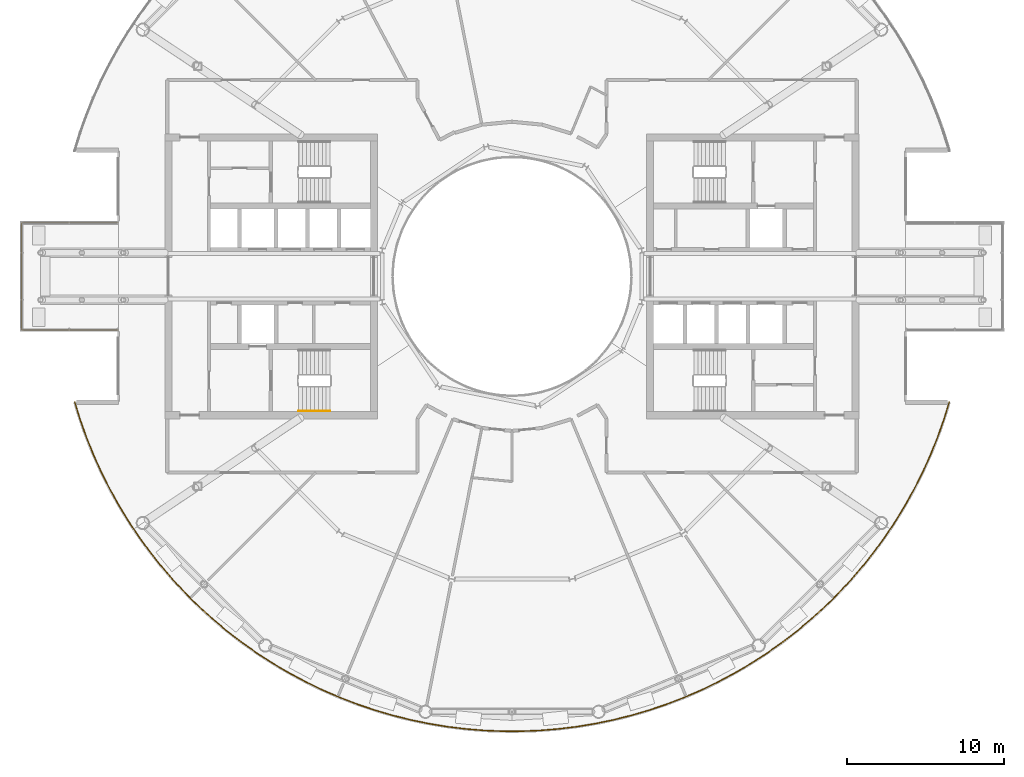
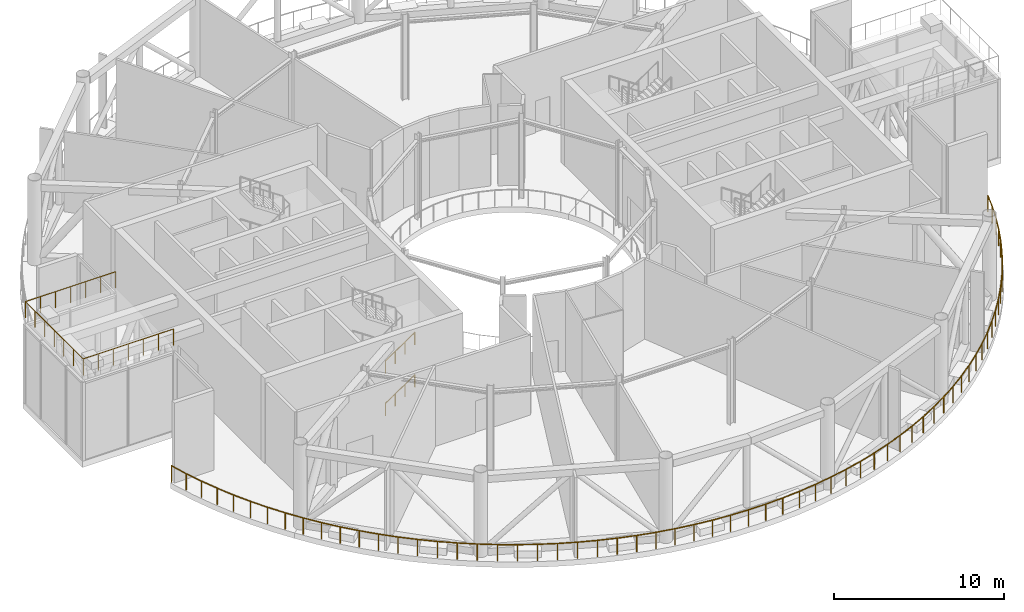
# One storey, part 20 of 24: 4 railings.
"""IFC4 building model written with IfcOpenShell, lengths in metres."""

from ifc_helpers import new_model, si_unit, direction, frame, origin, origin_2d, place, context, subcontext, project, spatial, circle, extrude, material, type_object, element, save


model = new_model("IFC4")

# Units and contexts
model_context = context("Model", 3, precision=1e-05, world=origin(), true_north=direction((0.0, 1.0)))
body_context = subcontext(model_context, "Body", "Model", "MODEL_VIEW")
ifc_project = project(units=[si_unit("LENGTHUNIT", "METRE"), si_unit("AREAUNIT", "SQUARE_METRE"), si_unit("VOLUMEUNIT", "CUBIC_METRE"), si_unit("PLANEANGLEUNIT", "RADIAN"), si_unit("MASSUNIT", "GRAM", prefix="KILO")], contexts=[model_context])

# Site, building, storey
site_placement = place(None, origin())
site = spatial("IfcSite", under=ifc_project, at=site_placement, CompositionType="ELEMENT")
building_placement = place(site_placement, origin())
building = spatial("IfcBuilding", under=site, at=building_placement, Name="Maasbend Ring Residences", CompositionType="ELEMENT")
storey_placement = place(building_placement, frame((0.0, 0.0, 221.85009765625)))
storey = spatial("IfcBuildingStorey", under=building, at=storey_placement, Name="L64", CompositionType="ELEMENT", Elevation=221.85009765625)

# Railings
ifc_material_1 = material(Name="Stainless steel 316 and glass", Category="steel")
railing_type_1 = type_object("IfcRailingType", Name="RL-GUARD", PredefinedType="GUARDRAIL", material=ifc_material_1)
railing_1_placement = place(storey_placement, frame((-27.778564453125, -7.972412109375, 0.0)))
element("IfcRailing", 1, at=railing_1_placement, inside=storey, type_object=railing_type_1, Name="Garden guard outer 2", PredefinedType="GUARDRAIL", context=body_context, shape_type="SweptSolid", body=[
    extrude(circle(Radius=0.02490234375, at=origin_2d()), frame((0.0, 0.0, 1.1748046875), z_axis=(0.295504624123, -0.95534130923, 0.0), x_axis=(0.95534130923, 0.295504624123, 0.0)), (0.0, 0.0, 1.0), 1.184814453125),
    extrude(circle(Radius=0.02490234375, at=origin_2d()), frame((0.35009765625, -1.1318359375, 1.1748046875), z_axis=(0.334285842511, -0.94247173724, 0.0), x_axis=(0.94247173724, 0.334285842511, 0.0)), (0.0, 0.0, 1.0), 1.1845703125),
    extrude(circle(Radius=0.02490234375, at=origin_2d()), frame((0.74609375, -2.248291015625, 1.1748046875), z_axis=(0.372847180885, -0.927892763042, 0.0), x_axis=(0.927892763042, 0.372847180885, 0.0)), (0.0, 0.0, 1.0), 1.1845703125),
    extrude(circle(Radius=0.02490234375, at=origin_2d()), frame((1.187744140625, -3.347412109375, 1.1748046875), z_axis=(0.410493199792, -0.911863659175, 0.0), x_axis=(0.911863659175, 0.410493199792, 0.0)), (0.0, 0.0, 1.0), 1.184814453125),
    extrude(circle(Radius=0.02490234375, at=origin_2d()), frame((1.674072265625, -4.427734375, 1.1748046875), z_axis=(0.447460908245, -0.894303491882, 0.0), x_axis=(0.894303491882, 0.447460908245, 0.0)), (0.0, 0.0, 1.0), 1.1845703125),
    extrude(circle(Radius=0.02490234375, at=origin_2d()), frame((2.2041015625, -5.487060546875, 1.1748046875), z_axis=(0.483839805506, -0.875156581766, 0.0), x_axis=(0.875156581766, 0.483839805506, 0.0)), (0.0, 0.0, 1.0), 1.184814453125),
    extrude(circle(Radius=0.02490234375, at=origin_2d()), frame((2.77734375, -6.52392578125, 1.1748046875), z_axis=(0.51915559987, -0.854679743017, 0.0), x_axis=(0.854679743017, 0.51915559987, 0.0)), (0.0, 0.0, 1.0), 1.1845703125),
    extrude(circle(Radius=0.02490234375, at=origin_2d()), frame((3.392333984375, -7.536376953125, 1.1748046875), z_axis=(0.553796190877, -0.832652255729, 0.0), x_axis=(0.832652255729, 0.553796190877, 0.0)), (0.0, 0.0, 1.0), 1.1845703125),
    extrude(circle(Radius=0.02490234375, at=origin_2d()), frame((4.04833984375, -8.522705078125, 1.1748046875), z_axis=(0.58749759803, -0.809225909317, 0.0), x_axis=(0.809225909317, 0.58749759803, 0.0)), (0.0, 0.0, 1.0), 1.184814453125),
    extrude(circle(Radius=0.02490234375, at=origin_2d()), frame((4.744384765625, -9.4814453125, 1.1748046875), z_axis=(0.620185444157, -0.78445523445, 0.0), x_axis=(0.78445523445, 0.620185444157, 0.0)), (0.0, 0.0, 1.0), 1.1845703125),
    extrude(circle(Radius=0.02490234375, at=origin_2d()), frame((5.47900390625, -10.41064453125, 1.1748046875), z_axis=(0.65182600946, -0.758368547206, 0.0), x_axis=(0.758368547206, 0.65182600946, 0.0)), (0.0, 0.0, 1.0), 1.184814453125),
    extrude(circle(Radius=0.02490234375, at=origin_2d()), frame((6.251220703125, -11.30908203125, 1.1748046875), z_axis=(0.682156690758, -0.731206023809, 0.0), x_axis=(0.731206023809, 0.682156690758, 0.0)), (0.0, 0.0, 1.0), 1.1845703125),
    extrude(circle(Radius=0.02490234375, at=origin_2d()), frame((7.059326171875, -12.17529296875, 1.1748046875), z_axis=(0.711830937603, -0.702350849841, 0.0), x_axis=(0.702350849841, 0.711830937603, 0.0)), (0.0, 0.0, 1.0), 1.1845703125),
    extrude(circle(Radius=0.02490234375, at=origin_2d()), frame((7.902587890625, -13.00732421875, 1.1748046875), z_axis=(0.739800189204, -0.672826634471, 0.0), x_axis=(0.672826634471, 0.739800189204, 0.0)), (0.0, 0.0, 1.0), 1.184814453125),
    extrude(circle(Radius=0.02490234375, at=origin_2d()), frame((8.779052734375, -13.804443359375, 1.1748046875), z_axis=(0.766885051085, -0.641784479731, 0.0), x_axis=(0.641784479731, 0.766885051085, 0.0)), (0.0, 0.0, 1.0), 1.1845703125),
    extrude(circle(Radius=0.02490234375, at=origin_2d()), frame((9.6875, -14.564697265625, 1.1748046875), z_axis=(0.792493715501, -0.609880079107, 0.0), x_axis=(0.609880079107, 0.792493715501, 0.0)), (0.0, 0.0, 1.0), 1.1845703125),
    extrude(circle(Radius=0.02490234375, at=origin_2d()), frame((10.626220703125, -15.287109375, 1.1748046875), z_axis=(0.816785089041, -0.576942040695, 0.0), x_axis=(0.576942040695, 0.816785089041, 0.0)), (0.0, 0.0, 1.0), 1.184814453125),
    extrude(circle(Radius=0.02490234375, at=origin_2d()), frame((11.593994140625, -15.970703125, 1.1748046875), z_axis=(0.839829939632, -0.542849585519, 0.0), x_axis=(0.542849585519, 0.839829939632, 0.0)), (0.0, 0.0, 1.0), 1.1845703125),
    extrude(circle(Radius=0.02490234375, at=origin_2d()), frame((12.5888671875, -16.61376953125, 1.1748046875), z_axis=(0.861324276781, -0.508055597575, 0.0), x_axis=(0.508055597575, 0.861324276781, 0.0)), (0.0, 0.0, 1.0), 1.1845703125),
    extrude(circle(Radius=0.02490234375, at=origin_2d()), frame((13.609130859375, -17.215576171875, 1.1748046875), z_axis=(0.881415624836, -0.472341503887, 0.0), x_axis=(0.472341503887, 0.881415624836, 0.0)), (0.0, 0.0, 1.0), 1.1845703125),
    extrude(circle(Radius=0.02490234375, at=origin_2d()), frame((14.6533203125, -17.775146484375, 1.1748046875), z_axis=(0.900002799964, -0.435884113104, 0.0), x_axis=(0.435884113104, 0.900002799964, 0.0)), (0.0, 0.0, 1.0), 1.1845703125),
    extrude(circle(Radius=0.02490234375, at=origin_2d()), frame((15.719482421875, -18.29150390625, 1.1748046875), z_axis=(0.917129024526, -0.398590456951, 0.0), x_axis=(0.398590456951, 0.917129024526, 0.0)), (0.0, 0.0, 1.0), 1.1845703125),
    extrude(circle(Radius=0.02490234375, at=origin_2d()), frame((16.805908203125, -18.763671875, 1.1748046875), z_axis=(0.932706782024, -0.360635631582, 0.0), x_axis=(0.360635631582, 0.932706782024, 0.0)), (0.0, 0.0, 1.0), 1.184814453125),
    extrude(circle(Radius=0.02490234375, at=origin_2d()), frame((17.910888671875, -19.19091796875, 1.1748046875), z_axis=(0.946770232419, -0.321910122559, 0.0), x_axis=(0.321910122559, 0.946770232419, 0.0)), (0.0, 0.0, 1.0), 1.1845703125),
    extrude(circle(Radius=0.02490234375, at=origin_2d()), frame((19.032470703125, -19.572265625, 1.1748046875), z_axis=(0.959076230705, -0.283147989039, 0.0), x_axis=(0.283147989039, 0.959076230705, 0.0)), (0.0, 0.0, 1.0), 1.184814453125),
    extrude(circle(Radius=0.02490234375, at=origin_2d()), frame((20.168701171875, -19.90771484375, 1.1748046875), z_axis=(0.969923880017, -0.243408436528, 0.0), x_axis=(0.243408436528, 0.969923880017, 0.0)), (0.0, 0.0, 1.0), 1.1845703125),
    extrude(circle(Radius=0.02490234375, at=origin_2d()), frame((21.317626953125, -20.196044921875, 1.1748046875), z_axis=(0.979054075839, -0.203600384536, 0.0), x_axis=(0.203600384536, 0.979054075839, 0.0)), (0.0, 0.0, 1.0), 1.184814453125),
    extrude(circle(Radius=0.02490234375, at=origin_2d()), frame((22.4775390625, -20.437255859375, 1.1748046875), z_axis=(0.986588187234, -0.163229129787, 0.0), x_axis=(0.163229129787, 0.986588187234, 0.0)), (0.0, 0.0, 1.0), 1.1845703125),
    extrude(circle(Radius=0.02490234375, at=origin_2d()), frame((23.646240234375, -20.630615234375, 1.1748046875), z_axis=(0.992454401235, -0.122614279222, 0.0), x_axis=(0.122614279222, 0.992454401235, 0.0)), (0.0, 0.0, 1.0), 1.184814453125),
    extrude(circle(Radius=0.02490234375, at=origin_2d()), frame((24.822021484375, -20.77587890625, 1.1748046875), z_axis=(0.996630509683, -0.082022113907, 0.0), x_axis=(0.082022113907, 0.996630509683, 0.0)), (0.0, 0.0, 1.0), 1.1845703125),
    extrude(circle(Radius=0.02490234375, at=origin_2d()), frame((26.002685546875, -20.873046875, 1.1748046875), z_axis=(0.999158599932, -0.041013317118, 0.0), x_axis=(0.041013317118, 0.999158599932, 0.0)), (0.0, 0.0, 1.0), 1.1845703125),
    extrude(circle(Radius=0.02490234375, at=origin_2d()), frame((27.186279296875, -20.921630859375, 1.1748046875), z_axis=(1.0, 0.0, 0.0), x_axis=(0.0, 1.0, 0.0)), (0.0, 0.0, 1.0), 1.1845703125),
    extrude(circle(Radius=0.02490234375, at=origin_2d()), frame((28.370849609375, -20.921630859375, 1.1748046875), z_axis=(0.999158599932, 0.041013317118, 0.0), x_axis=(-0.041013317118, 0.999158599932, 0.0)), (0.0, 0.0, 1.0), 1.1845703125),
    extrude(circle(Radius=0.02490234375, at=origin_2d()), frame((29.554443359375, -20.873046875, 1.1748046875), z_axis=(0.996630509683, 0.082022113907, 0.0), x_axis=(-0.082022113907, 0.996630509683, 0.0)), (0.0, 0.0, 1.0), 1.1845703125),
    extrude(circle(Radius=0.02490234375, at=origin_2d()), frame((30.735107421875, -20.77587890625, 1.1748046875), z_axis=(0.992454401235, 0.122614279222, 0.0), x_axis=(-0.122614279222, 0.992454401235, 0.0)), (0.0, 0.0, 1.0), 1.184814453125),
    extrude(circle(Radius=0.02490234375, at=origin_2d()), frame((31.910888671875, -20.630615234375, 1.1748046875), z_axis=(0.986588187234, 0.163229129787, 0.0), x_axis=(-0.163229129787, 0.986588187234, 0.0)), (0.0, 0.0, 1.0), 1.1845703125),
    extrude(circle(Radius=0.02490234375, at=origin_2d()), frame((33.07958984375, -20.437255859375, 1.1748046875), z_axis=(0.979054075839, 0.203600384536, 0.0), x_axis=(-0.203600384536, 0.979054075839, 0.0)), (0.0, 0.0, 1.0), 1.184814453125),
    extrude(circle(Radius=0.02490234375, at=origin_2d()), frame((34.239501953125, -20.196044921875, 1.1748046875), z_axis=(0.969923880017, 0.243408436528, 0.0), x_axis=(-0.243408436528, 0.969923880017, 0.0)), (0.0, 0.0, 1.0), 1.1845703125),
    extrude(circle(Radius=0.02490234375, at=origin_2d()), frame((35.388427734375, -19.90771484375, 1.1748046875), z_axis=(0.959076230705, 0.283147989039, 0.0), x_axis=(-0.283147989039, 0.959076230705, 0.0)), (0.0, 0.0, 1.0), 1.184814453125),
    extrude(circle(Radius=0.02490234375, at=origin_2d()), frame((36.524658203125, -19.572265625, 1.1748046875), z_axis=(0.946770232419, 0.321910122559, 0.0), x_axis=(-0.321910122559, 0.946770232419, 0.0)), (0.0, 0.0, 1.0), 1.1845703125),
    extrude(circle(Radius=0.02490234375, at=origin_2d()), frame((37.646240234375, -19.19091796875, 1.1748046875), z_axis=(0.932706782024, 0.360635631582, 0.0), x_axis=(-0.360635631582, 0.932706782024, 0.0)), (0.0, 0.0, 1.0), 1.184814453125),
    extrude(circle(Radius=0.02490234375, at=origin_2d()), frame((38.751220703125, -18.763671875, 1.1748046875), z_axis=(0.917129024526, 0.398590456951, 0.0), x_axis=(-0.398590456951, 0.917129024526, 0.0)), (0.0, 0.0, 1.0), 1.1845703125),
    extrude(circle(Radius=0.02490234375, at=origin_2d()), frame((39.837646484375, -18.29150390625, 1.1748046875), z_axis=(0.900002799964, 0.435884113104, 0.0), x_axis=(-0.435884113104, 0.900002799964, 0.0)), (0.0, 0.0, 1.0), 1.1845703125),
    extrude(circle(Radius=0.02490234375, at=origin_2d()), frame((40.90380859375, -17.775146484375, 1.1748046875), z_axis=(0.881415624836, 0.472341503887, 0.0), x_axis=(-0.472341503887, 0.881415624836, 0.0)), (0.0, 0.0, 1.0), 1.1845703125),
    extrude(circle(Radius=0.02490234375, at=origin_2d()), frame((41.947998046875, -17.215576171875, 1.1748046875), z_axis=(0.861324276781, 0.508055597575, 0.0), x_axis=(-0.508055597575, 0.861324276781, 0.0)), (0.0, 0.0, 1.0), 1.1845703125),
    extrude(circle(Radius=0.02490234375, at=origin_2d()), frame((42.96826171875, -16.61376953125, 1.1748046875), z_axis=(0.839829939632, 0.542849585519, 0.0), x_axis=(-0.542849585519, 0.839829939632, 0.0)), (0.0, 0.0, 1.0), 1.1845703125),
    extrude(circle(Radius=0.02490234375, at=origin_2d()), frame((43.963134765625, -15.970703125, 1.1748046875), z_axis=(0.816785089041, 0.576942040695, 0.0), x_axis=(-0.576942040695, 0.816785089041, 0.0)), (0.0, 0.0, 1.0), 1.184814453125),
    extrude(circle(Radius=0.02490234375, at=origin_2d()), frame((44.930908203125, -15.287109375, 1.1748046875), z_axis=(0.792493715501, 0.609880079107, 0.0), x_axis=(-0.609880079107, 0.792493715501, 0.0)), (0.0, 0.0, 1.0), 1.1845703125),
    extrude(circle(Radius=0.02490234375, at=origin_2d()), frame((45.86962890625, -14.564697265625, 1.1748046875), z_axis=(0.766885051085, 0.641784479731, 0.0), x_axis=(-0.641784479731, 0.766885051085, 0.0)), (0.0, 0.0, 1.0), 1.1845703125),
    extrude(circle(Radius=0.02490234375, at=origin_2d()), frame((46.778076171875, -13.804443359375, 1.1748046875), z_axis=(0.739800189204, 0.672826634471, 0.0), x_axis=(-0.672826634471, 0.739800189204, 0.0)), (0.0, 0.0, 1.0), 1.184814453125),
    extrude(circle(Radius=0.02490234375, at=origin_2d()), frame((47.654541015625, -13.00732421875, 1.1748046875), z_axis=(0.711830937603, 0.702350849841, 0.0), x_axis=(-0.702350849841, 0.711830937603, 0.0)), (0.0, 0.0, 1.0), 1.1845703125),
    extrude(circle(Radius=0.02490234375, at=origin_2d()), frame((48.497802734375, -12.17529296875, 1.1748046875), z_axis=(0.682156690758, 0.731206023809, 0.0), x_axis=(-0.731206023809, 0.682156690758, 0.0)), (0.0, 0.0, 1.0), 1.1845703125),
    extrude(circle(Radius=0.02490234375, at=origin_2d()), frame((49.305908203125, -11.30908203125, 1.1748046875), z_axis=(0.65182600946, 0.758368547206, 0.0), x_axis=(-0.758368547206, 0.65182600946, 0.0)), (0.0, 0.0, 1.0), 1.184814453125),
    extrude(circle(Radius=0.02490234375, at=origin_2d()), frame((50.078125, -10.41064453125, 1.1748046875), z_axis=(0.620185444157, 0.78445523445, 0.0), x_axis=(-0.78445523445, 0.620185444157, 0.0)), (0.0, 0.0, 1.0), 1.1845703125),
    extrude(circle(Radius=0.02490234375, at=origin_2d()), frame((50.812744140625, -9.4814453125, 1.1748046875), z_axis=(0.58749759803, 0.809225909317, 0.0), x_axis=(-0.809225909317, 0.58749759803, 0.0)), (0.0, 0.0, 1.0), 1.184814453125),
    extrude(circle(Radius=0.02490234375, at=origin_2d()), frame((51.5087890625, -8.522705078125, 1.1748046875), z_axis=(0.553796190877, 0.832652255729, 0.0), x_axis=(-0.832652255729, 0.553796190877, 0.0)), (0.0, 0.0, 1.0), 1.1845703125),
    extrude(circle(Radius=0.02490234375, at=origin_2d()), frame((52.164794921875, -7.536376953125, 1.1748046875), z_axis=(0.51915559987, 0.854679743017, 0.0), x_axis=(-0.854679743017, 0.51915559987, 0.0)), (0.0, 0.0, 1.0), 1.1845703125),
    extrude(circle(Radius=0.02490234375, at=origin_2d()), frame((52.77978515625, -6.52392578125, 1.1748046875), z_axis=(0.483839805506, 0.875156581766, 0.0), x_axis=(-0.875156581766, 0.483839805506, 0.0)), (0.0, 0.0, 1.0), 1.184814453125),
    extrude(circle(Radius=0.02490234375, at=origin_2d()), frame((53.35302734375, -5.487060546875, 1.1748046875), z_axis=(0.447460908245, 0.894303491882, 0.0), x_axis=(-0.894303491882, 0.447460908245, 0.0)), (0.0, 0.0, 1.0), 1.1845703125),
    extrude(circle(Radius=0.02490234375, at=origin_2d()), frame((53.883056640625, -4.427734375, 1.1748046875), z_axis=(0.410493199792, 0.911863659175, 0.0), x_axis=(-0.911863659175, 0.410493199792, 0.0)), (0.0, 0.0, 1.0), 1.184814453125),
    extrude(circle(Radius=0.02490234375, at=origin_2d()), frame((54.369384765625, -3.347412109375, 1.1748046875), z_axis=(0.372847180885, 0.927892763042, 0.0), x_axis=(-0.927892763042, 0.372847180885, 0.0)), (0.0, 0.0, 1.0), 1.1845703125),
    extrude(circle(Radius=0.02490234375, at=origin_2d()), frame((54.81103515625, -2.248291015625, 1.1748046875), z_axis=(0.334285842511, 0.94247173724, 0.0), x_axis=(-0.94247173724, 0.334285842511, 0.0)), (0.0, 0.0, 1.0), 1.1845703125),
    extrude(circle(Radius=0.02490234375, at=origin_2d()), frame((55.20703125, -1.1318359375, 1.1748046875), z_axis=(0.295504624123, 0.95534130923, 0.0), x_axis=(-0.95534130923, 0.295504624123, 0.0)), (0.0, 0.0, 1.0), 1.184814453125),
    extrude(circle(Radius=0.02001953125, at=origin_2d()), origin(), (0.0, 0.0, 1.0), 1.14990234375),
    extrude(circle(Radius=0.02001953125, at=origin_2d()), frame((0.35009765625, -1.1318359375, 0.0)), (0.0, 0.0, 1.0), 1.14990234375),
    extrude(circle(Radius=0.02001953125, at=origin_2d()), frame((0.74609375, -2.248291015625, 0.0)), (0.0, 0.0, 1.0), 1.14990234375),
    extrude(circle(Radius=0.02001953125, at=origin_2d()), frame((1.187744140625, -3.347412109375, 0.0)), (0.0, 0.0, 1.0), 1.14990234375),
    extrude(circle(Radius=0.02001953125, at=origin_2d()), frame((1.674072265625, -4.427734375, 0.0)), (0.0, 0.0, 1.0), 1.14990234375),
    extrude(circle(Radius=0.02001953125, at=origin_2d()), frame((2.2041015625, -5.487060546875, 0.0)), (0.0, 0.0, 1.0), 1.14990234375),
    extrude(circle(Radius=0.02001953125, at=origin_2d()), frame((2.77734375, -6.52392578125, 0.0)), (0.0, 0.0, 1.0), 1.14990234375),
    extrude(circle(Radius=0.02001953125, at=origin_2d()), frame((3.392333984375, -7.536376953125, 0.0)), (0.0, 0.0, 1.0), 1.14990234375),
    extrude(circle(Radius=0.02001953125, at=origin_2d()), frame((4.04833984375, -8.522705078125, 0.0)), (0.0, 0.0, 1.0), 1.14990234375),
    extrude(circle(Radius=0.02001953125, at=origin_2d()), frame((4.744384765625, -9.4814453125, 0.0)), (0.0, 0.0, 1.0), 1.14990234375),
    extrude(circle(Radius=0.02001953125, at=origin_2d()), frame((5.47900390625, -10.41064453125, 0.0)), (0.0, 0.0, 1.0), 1.14990234375),
    extrude(circle(Radius=0.02001953125, at=origin_2d()), frame((6.251220703125, -11.30908203125, 0.0)), (0.0, 0.0, 1.0), 1.14990234375),
    extrude(circle(Radius=0.02001953125, at=origin_2d()), frame((7.059326171875, -12.17529296875, 0.0)), (0.0, 0.0, 1.0), 1.14990234375),
    extrude(circle(Radius=0.02001953125, at=origin_2d()), frame((7.902587890625, -13.00732421875, 0.0)), (0.0, 0.0, 1.0), 1.14990234375),
    extrude(circle(Radius=0.02001953125, at=origin_2d()), frame((8.779052734375, -13.804443359375, 0.0)), (0.0, 0.0, 1.0), 1.14990234375),
    extrude(circle(Radius=0.02001953125, at=origin_2d()), frame((9.6875, -14.564697265625, 0.0)), (0.0, 0.0, 1.0), 1.14990234375),
    extrude(circle(Radius=0.02001953125, at=origin_2d()), frame((10.626220703125, -15.287109375, 0.0)), (0.0, 0.0, 1.0), 1.14990234375),
    extrude(circle(Radius=0.02001953125, at=origin_2d()), frame((11.593994140625, -15.970703125, 0.0)), (0.0, 0.0, 1.0), 1.14990234375),
    extrude(circle(Radius=0.02001953125, at=origin_2d()), frame((12.5888671875, -16.61376953125, 0.0)), (0.0, 0.0, 1.0), 1.14990234375),
    extrude(circle(Radius=0.02001953125, at=origin_2d()), frame((13.609130859375, -17.215576171875, 0.0)), (0.0, 0.0, 1.0), 1.14990234375),
    extrude(circle(Radius=0.02001953125, at=origin_2d()), frame((14.6533203125, -17.775146484375, 0.0)), (0.0, 0.0, 1.0), 1.14990234375),
    extrude(circle(Radius=0.02001953125, at=origin_2d()), frame((15.719482421875, -18.29150390625, 0.0)), (0.0, 0.0, 1.0), 1.14990234375),
    extrude(circle(Radius=0.02001953125, at=origin_2d()), frame((16.805908203125, -18.763671875, 0.0)), (0.0, 0.0, 1.0), 1.14990234375),
    extrude(circle(Radius=0.02001953125, at=origin_2d()), frame((17.910888671875, -19.19091796875, 0.0)), (0.0, 0.0, 1.0), 1.14990234375),
    extrude(circle(Radius=0.02001953125, at=origin_2d()), frame((19.032470703125, -19.572265625, 0.0)), (0.0, 0.0, 1.0), 1.14990234375),
    extrude(circle(Radius=0.02001953125, at=origin_2d()), frame((20.168701171875, -19.90771484375, 0.0)), (0.0, 0.0, 1.0), 1.14990234375),
    extrude(circle(Radius=0.02001953125, at=origin_2d()), frame((21.317626953125, -20.196044921875, 0.0)), (0.0, 0.0, 1.0), 1.14990234375),
    extrude(circle(Radius=0.02001953125, at=origin_2d()), frame((22.4775390625, -20.437255859375, 0.0)), (0.0, 0.0, 1.0), 1.14990234375),
    extrude(circle(Radius=0.02001953125, at=origin_2d()), frame((23.646240234375, -20.630615234375, 0.0)), (0.0, 0.0, 1.0), 1.14990234375),
    extrude(circle(Radius=0.02001953125, at=origin_2d()), frame((24.822021484375, -20.77587890625, 0.0)), (0.0, 0.0, 1.0), 1.14990234375),
    extrude(circle(Radius=0.02001953125, at=origin_2d()), frame((26.002685546875, -20.873046875, 0.0)), (0.0, 0.0, 1.0), 1.14990234375),
    extrude(circle(Radius=0.02001953125, at=origin_2d()), frame((27.186279296875, -20.921630859375, 0.0)), (0.0, 0.0, 1.0), 1.14990234375),
    extrude(circle(Radius=0.02001953125, at=origin_2d()), frame((28.370849609375, -20.921630859375, 0.0)), (0.0, 0.0, 1.0), 1.14990234375),
    extrude(circle(Radius=0.02001953125, at=origin_2d()), frame((29.554443359375, -20.873046875, 0.0)), (0.0, 0.0, 1.0), 1.14990234375),
    extrude(circle(Radius=0.02001953125, at=origin_2d()), frame((30.735107421875, -20.77587890625, 0.0)), (0.0, 0.0, 1.0), 1.14990234375),
    extrude(circle(Radius=0.02001953125, at=origin_2d()), frame((31.910888671875, -20.630615234375, 0.0)), (0.0, 0.0, 1.0), 1.14990234375),
    extrude(circle(Radius=0.02001953125, at=origin_2d()), frame((33.07958984375, -20.437255859375, 0.0)), (0.0, 0.0, 1.0), 1.14990234375),
    extrude(circle(Radius=0.02001953125, at=origin_2d()), frame((34.239501953125, -20.196044921875, 0.0)), (0.0, 0.0, 1.0), 1.14990234375),
    extrude(circle(Radius=0.02001953125, at=origin_2d()), frame((35.388427734375, -19.90771484375, 0.0)), (0.0, 0.0, 1.0), 1.14990234375),
    extrude(circle(Radius=0.02001953125, at=origin_2d()), frame((36.524658203125, -19.572265625, 0.0)), (0.0, 0.0, 1.0), 1.14990234375),
    extrude(circle(Radius=0.02001953125, at=origin_2d()), frame((37.646240234375, -19.19091796875, 0.0)), (0.0, 0.0, 1.0), 1.14990234375),
    extrude(circle(Radius=0.02001953125, at=origin_2d()), frame((38.751220703125, -18.763671875, 0.0)), (0.0, 0.0, 1.0), 1.14990234375),
    extrude(circle(Radius=0.02001953125, at=origin_2d()), frame((39.837646484375, -18.29150390625, 0.0)), (0.0, 0.0, 1.0), 1.14990234375),
    extrude(circle(Radius=0.02001953125, at=origin_2d()), frame((40.90380859375, -17.775146484375, 0.0)), (0.0, 0.0, 1.0), 1.14990234375),
    extrude(circle(Radius=0.02001953125, at=origin_2d()), frame((41.947998046875, -17.215576171875, 0.0)), (0.0, 0.0, 1.0), 1.14990234375),
    extrude(circle(Radius=0.02001953125, at=origin_2d()), frame((42.96826171875, -16.61376953125, 0.0)), (0.0, 0.0, 1.0), 1.14990234375),
    extrude(circle(Radius=0.02001953125, at=origin_2d()), frame((43.963134765625, -15.970703125, 0.0)), (0.0, 0.0, 1.0), 1.14990234375),
    extrude(circle(Radius=0.02001953125, at=origin_2d()), frame((44.930908203125, -15.287109375, 0.0)), (0.0, 0.0, 1.0), 1.14990234375),
    extrude(circle(Radius=0.02001953125, at=origin_2d()), frame((45.86962890625, -14.564697265625, 0.0)), (0.0, 0.0, 1.0), 1.14990234375),
    extrude(circle(Radius=0.02001953125, at=origin_2d()), frame((46.778076171875, -13.804443359375, 0.0)), (0.0, 0.0, 1.0), 1.14990234375),
    extrude(circle(Radius=0.02001953125, at=origin_2d()), frame((47.654541015625, -13.00732421875, 0.0)), (0.0, 0.0, 1.0), 1.14990234375),
    extrude(circle(Radius=0.02001953125, at=origin_2d()), frame((48.497802734375, -12.17529296875, 0.0)), (0.0, 0.0, 1.0), 1.14990234375),
    extrude(circle(Radius=0.02001953125, at=origin_2d()), frame((49.305908203125, -11.30908203125, 0.0)), (0.0, 0.0, 1.0), 1.14990234375),
    extrude(circle(Radius=0.02001953125, at=origin_2d()), frame((50.078125, -10.41064453125, 0.0)), (0.0, 0.0, 1.0), 1.14990234375),
    extrude(circle(Radius=0.02001953125, at=origin_2d()), frame((50.812744140625, -9.4814453125, 0.0)), (0.0, 0.0, 1.0), 1.14990234375),
    extrude(circle(Radius=0.02001953125, at=origin_2d()), frame((51.5087890625, -8.522705078125, 0.0)), (0.0, 0.0, 1.0), 1.14990234375),
    extrude(circle(Radius=0.02001953125, at=origin_2d()), frame((52.164794921875, -7.536376953125, 0.0)), (0.0, 0.0, 1.0), 1.14990234375),
    extrude(circle(Radius=0.02001953125, at=origin_2d()), frame((52.77978515625, -6.52392578125, 0.0)), (0.0, 0.0, 1.0), 1.14990234375),
    extrude(circle(Radius=0.02001953125, at=origin_2d()), frame((53.35302734375, -5.487060546875, 0.0)), (0.0, 0.0, 1.0), 1.14990234375),
    extrude(circle(Radius=0.02001953125, at=origin_2d()), frame((53.883056640625, -4.427734375, 0.0)), (0.0, 0.0, 1.0), 1.14990234375),
    extrude(circle(Radius=0.02001953125, at=origin_2d()), frame((54.369384765625, -3.347412109375, 0.0)), (0.0, 0.0, 1.0), 1.14990234375),
    extrude(circle(Radius=0.02001953125, at=origin_2d()), frame((54.81103515625, -2.248291015625, 0.0)), (0.0, 0.0, 1.0), 1.14990234375),
    extrude(circle(Radius=0.02001953125, at=origin_2d()), frame((55.20703125, -1.1318359375, 0.0)), (0.0, 0.0, 1.0), 1.14990234375),
    extrude(circle(Radius=0.02001953125, at=origin_2d()), frame((55.55712890625, 0.0, 0.0)), (0.0, 0.0, 1.0), 1.14990234375),
])
railing_2_placement = place(storey_placement, frame((-25.0, -3.39990234375, 6.099853515625)))
element("IfcRailing", 2, at=railing_2_placement, inside=storey, type_object=railing_type_1, Name="Roof terrace guard", PredefinedType="GUARDRAIL", context=body_context, shape_type="SweptSolid", body=[
    extrude(circle(Radius=0.02490234375, at=origin_2d()), frame((0.0, 0.0, 1.1748046875), z_axis=(-1.0, 0.0, 0.0), x_axis=(0.0, -1.0, 0.0)), (0.0, 0.0, 1.0), 6.14990234375),
    extrude(circle(Radius=0.02490234375, at=origin_2d()), frame((-6.14990234375, 0.0, 1.1748046875), z_axis=(0.0, 1.0, 0.0), x_axis=(-1.0, 0.0, 0.0)), (0.0, 0.0, 1.0), 6.7998046875),
    extrude(circle(Radius=0.02490234375, at=origin_2d()), frame((-6.14990234375, 6.7998046875, 1.1748046875), z_axis=(1.0, 0.0, 0.0), x_axis=(0.0, 1.0, 0.0)), (0.0, 0.0, 1.0), 6.14990234375),
    extrude(circle(Radius=0.02001953125, at=origin_2d()), origin(), (0.0, 0.0, 1.0), 1.14990234375),
    extrude(circle(Radius=0.02001953125, at=origin_2d()), frame((-1.02490234375, 0.0, 0.0)), (0.0, 0.0, 1.0), 1.14990234375),
    extrude(circle(Radius=0.02001953125, at=origin_2d()), frame((-2.050048828125, 0.0, 0.0)), (0.0, 0.0, 1.0), 1.14990234375),
    extrude(circle(Radius=0.02001953125, at=origin_2d()), frame((-3.074951171875, 0.0, 0.0)), (0.0, 0.0, 1.0), 1.14990234375),
    extrude(circle(Radius=0.02001953125, at=origin_2d()), frame((-4.099853515625, 0.0, 0.0)), (0.0, 0.0, 1.0), 1.14990234375),
    extrude(circle(Radius=0.02001953125, at=origin_2d()), frame((-5.125, 0.0, 0.0)), (0.0, 0.0, 1.0), 1.14990234375),
    extrude(circle(Radius=0.02001953125, at=origin_2d()), frame((-6.14990234375, 0.0, 0.0)), (0.0, 0.0, 1.0), 1.14990234375),
    extrude(circle(Radius=0.02001953125, at=origin_2d()), frame((-6.14990234375, 1.13330078125, 0.0)), (0.0, 0.0, 1.0), 1.14990234375),
    extrude(circle(Radius=0.02001953125, at=origin_2d()), frame((-6.14990234375, 2.2666015625, 0.0)), (0.0, 0.0, 1.0), 1.14990234375),
    extrude(circle(Radius=0.02001953125, at=origin_2d()), frame((-6.14990234375, 3.39990234375, 0.0)), (0.0, 0.0, 1.0), 1.14990234375),
    extrude(circle(Radius=0.02001953125, at=origin_2d()), frame((-6.14990234375, 4.533203125, 0.0)), (0.0, 0.0, 1.0), 1.14990234375),
    extrude(circle(Radius=0.02001953125, at=origin_2d()), frame((-6.14990234375, 5.66650390625, 0.0)), (0.0, 0.0, 1.0), 1.14990234375),
    extrude(circle(Radius=0.02001953125, at=origin_2d()), frame((-6.14990234375, 6.7998046875, 0.0)), (0.0, 0.0, 1.0), 1.14990234375),
    extrude(circle(Radius=0.02001953125, at=origin_2d()), frame((-5.125, 6.7998046875, 0.0)), (0.0, 0.0, 1.0), 1.14990234375),
    extrude(circle(Radius=0.02001953125, at=origin_2d()), frame((-4.099853515625, 6.7998046875, 0.0)), (0.0, 0.0, 1.0), 1.14990234375),
    extrude(circle(Radius=0.02001953125, at=origin_2d()), frame((-3.074951171875, 6.7998046875, 0.0)), (0.0, 0.0, 1.0), 1.14990234375),
    extrude(circle(Radius=0.02001953125, at=origin_2d()), frame((-2.050048828125, 6.7998046875, 0.0)), (0.0, 0.0, 1.0), 1.14990234375),
    extrude(circle(Radius=0.02001953125, at=origin_2d()), frame((-1.02490234375, 6.7998046875, 0.0)), (0.0, 0.0, 1.0), 1.14990234375),
    extrude(circle(Radius=0.02001953125, at=origin_2d()), frame((0.0, 6.7998046875, 0.0)), (0.0, 0.0, 1.0), 1.14990234375),
])
ifc_material_2 = material(Name="Stainless steel 316", Category="steel")
railing_type_2 = type_object("IfcRailingType", Name="STAIR HANDRAIL 900", PredefinedType="HANDRAIL", material=ifc_material_2)
railing_3_placement = place(storey_placement, frame((-13.550048828125, -8.550048828125, 0.16943359375)))
element("IfcRailing", 3, at=railing_3_placement, inside=storey, type_object=railing_type_2, Name="L64 ST-W1 stair handrail 1", PredefinedType="HANDRAIL", context=body_context, shape_type="SweptSolid", body=[
    extrude(circle(Radius=0.02392578125, at=origin_2d()), frame((0.0, 0.0, 0.8759765625), z_axis=(0.827797584762, 0.0, 0.561026878735), x_axis=(0.0, 1.0, 0.0)), (0.0, 0.0, 1.0), 2.416015625),
    extrude(circle(Radius=0.02099609375, at=origin_2d()), origin(), (0.0, 0.0, 1.0), 0.851806640625),
    extrude(circle(Radius=0.02099609375, at=origin_2d()), frame((0.666748046875, 0.0, 0.451904296875)), (0.0, 0.0, 1.0), 0.851806640625),
    extrude(circle(Radius=0.02099609375, at=origin_2d()), frame((1.333251953125, 0.0, 0.903564453125)), (0.0, 0.0, 1.0), 0.851806640625),
    extrude(circle(Radius=0.02099609375, at=origin_2d()), frame((2.0, 0.0, 1.35546875)), (0.0, 0.0, 1.0), 0.851806640625),
])
railing_4_placement = place(storey_placement, frame((-13.550048828125, -8.550048828125, 3.21923828125)))
element("IfcRailing", 4, at=railing_4_placement, inside=storey, type_object=railing_type_2, Name="L64 ST-W1 stair handrail 3", PredefinedType="HANDRAIL", context=body_context, shape_type="SweptSolid", body=[
    extrude(circle(Radius=0.02392578125, at=origin_2d()), frame((0.0, 0.0, 0.8759765625), z_axis=(0.827750655447, 0.0, 0.561096116906), x_axis=(0.0, 1.0, 0.0)), (0.0, 0.0, 1.0), 2.416259765625),
    extrude(circle(Radius=0.02099609375, at=origin_2d()), origin(), (0.0, 0.0, 1.0), 0.851806640625),
    extrude(circle(Radius=0.02099609375, at=origin_2d()), frame((0.666748046875, 0.0, 0.451904296875)), (0.0, 0.0, 1.0), 0.851806640625),
    extrude(circle(Radius=0.02099609375, at=origin_2d()), frame((1.333251953125, 0.0, 0.90380859375)), (0.0, 0.0, 1.0), 0.851806640625),
    extrude(circle(Radius=0.02099609375, at=origin_2d()), frame((2.0, 0.0, 1.355712890625)), (0.0, 0.0, 1.0), 0.851806640625),
])

save(model, "model.ifc")
